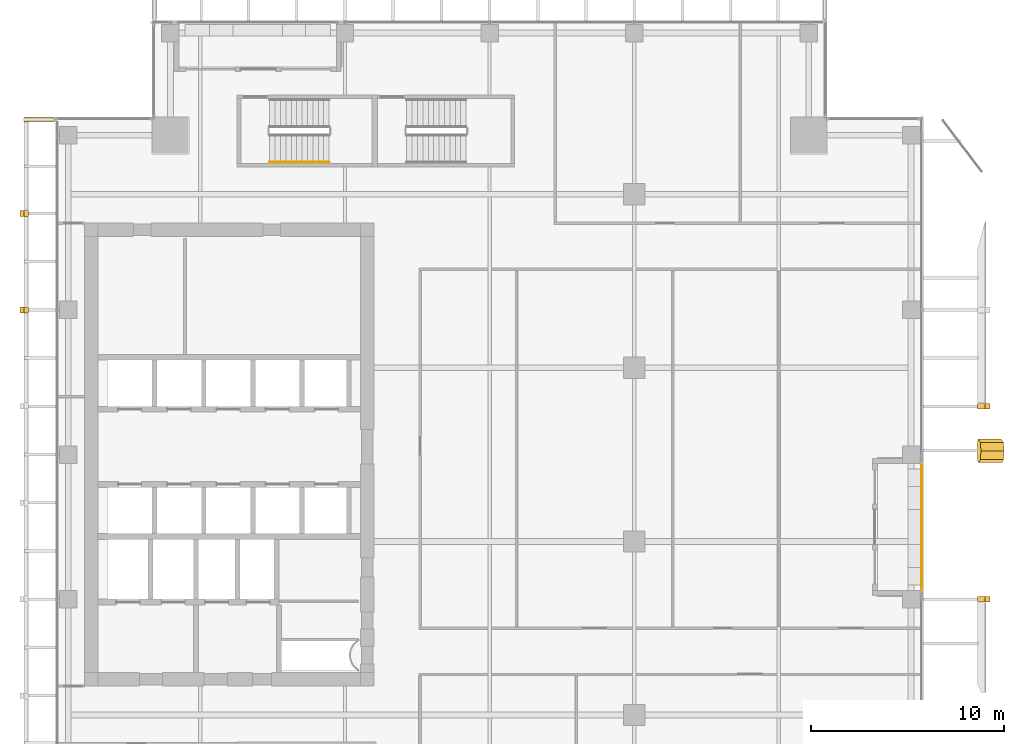
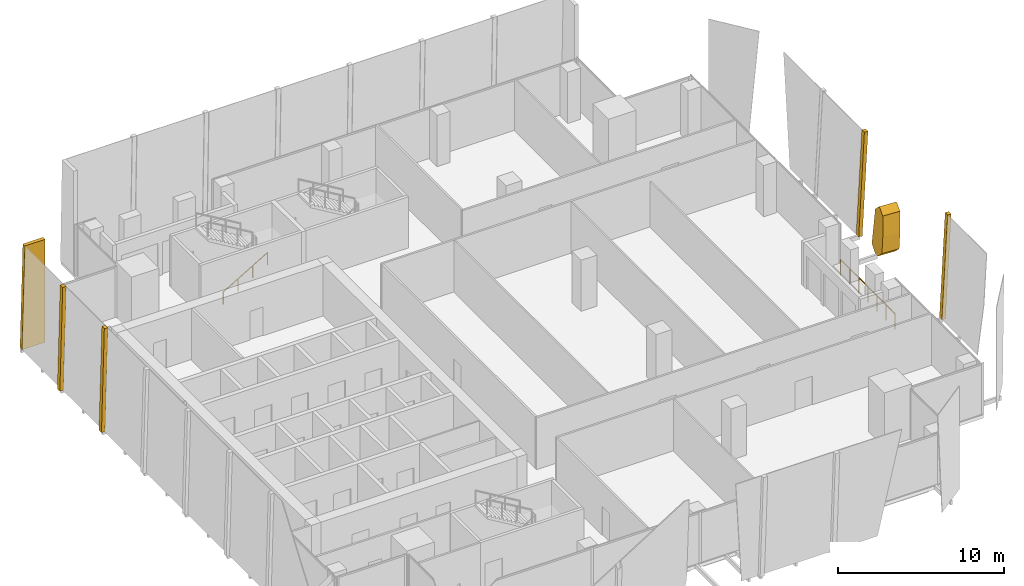
# One storey, part 33 of 35: 6 coverings, 2 railings.
"""IFC4 building model written with IfcOpenShell, lengths in metres."""

from ifc_helpers import new_model, si_unit, direction, frame, origin, origin_2d, place, context, subcontext, project, spatial, polyline, circle, outline, extrude, source, transform, mapped, material, layer, layer_set, type_object, element, save


model = new_model("IFC4")

# Units and contexts
model_context = context("Model", 3, precision=1e-05, world=origin(), true_north=direction((0.0, 1.0)))
body_context = subcontext(model_context, "Body", "Model", "MODEL_VIEW")
ifc_project = project(units=[si_unit("LENGTHUNIT", "METRE"), si_unit("AREAUNIT", "SQUARE_METRE"), si_unit("VOLUMEUNIT", "CUBIC_METRE"), si_unit("PLANEANGLEUNIT", "RADIAN"), si_unit("MASSUNIT", "GRAM", prefix="KILO")], contexts=[model_context])

# Site, building, storey
site_placement = place(None, origin())
site = spatial("IfcSite", under=ifc_project, at=site_placement, CompositionType="ELEMENT")
building_placement = place(site_placement, origin())
building = spatial("IfcBuilding", under=site, at=building_placement, Name="Khomas Fold Tower", CompositionType="ELEMENT")
storey_placement = place(building_placement, frame((0.0, 0.0, 258.199951171875)))
storey = spatial("IfcBuildingStorey", under=building, at=storey_placement, Name="L58", CompositionType="ELEMENT", Elevation=258.199951171875)

# Coverings
ifc_material_1 = material(Name="Natural stone cladding", Category="masonry")
ifc_layer_1 = layer(ifc_material_1, 0.25)
ifc_layer_set_1 = layer_set([ifc_layer_1], Name="Natural stone cladding")
covering_type_1 = type_object("IfcCoveringType", Name="SK-Karibib marble stone mullion", PredefinedType="CLADDING", material=ifc_layer_set_1)
for number, where, z_axis, x_axis, name in (
    (1, (52.28662109375, 19.35009765625, 0.0), (-0.998629046243, 0.0, 0.052345276765), (0.052345276765, 0.0, 0.998629046243), "OUTER SKIN mullion L58 EM100-3"),
    (2, (52.682373046875, 29.64990234375, 7.550048828125), (-0.998629046243, 0.0, 0.052345276765), (-0.052345276765, 0.0, -0.998629046243), "OUTER SKIN mullion L58 EM102-4"),
):
    element("IfcCovering", number, at=place(storey_placement, frame(where, z_axis=z_axis, x_axis=x_axis)), inside=storey, type_object=covering_type_1, Name=name, PredefinedType="CLADDING", context=body_context, shape_type="SweptSolid", body=[
        extrude(outline(polyline([(0.0, 0.0), (7.560413805835891, 0.0), (7.560413805835891, 0.2998046875), (0.0, 0.2998046875), (0.0, 0.0)])), origin(), (0.0, 0.0, -1.0), 0.25),
    ])
for number, where, z_axis, x_axis, name in (
    (3, (2.6533203125, 34.35009765625, 0.006591796875), (-0.99965715546, 0.0, 0.026183421048), (0.0, 1.0, 0.0), "OUTER SKIN mullion L58 W10"),
    (4, (2.6533203125, 39.35009765625, 0.006591796875), (-0.99965715546, 0.0, 0.026183421048), (0.0, 1.0, 0.0), "OUTER SKIN mullion L58 W12"),
):
    element("IfcCovering", number, at=place(storey_placement, frame(where, z_axis=z_axis, x_axis=x_axis)), inside=storey, type_object=covering_type_1, Name=name, PredefinedType="CLADDING", context=body_context, shape_type="SweptSolid", body=[
        extrude(outline(polyline([(0.0, 0.0), (0.2998046875, 0.0), (0.2998046875, -7.552638208898188), (0.0, -7.552638208898188), (0.0, 0.0)])), origin(), (0.0, 0.0, -1.0), 0.25),
    ])
covering_1_placement = place(storey_placement, frame((4.449951171875, 44.5, 0.0), z_axis=(0.0, 1.0, 0.0), x_axis=(-1.0, 0.0, 0.0)))
element("IfcCovering", 5, at=covering_1_placement, inside=storey, type_object=covering_type_1, Name="OUTER SKIN return L58 W2", PredefinedType="CLADDING", context=body_context, shape_type="SweptSolid", body=[
    extrude(outline(polyline([(0.0, 0.0), (1.586669921875, 0.0), (1.388916015625, 7.550048828125), (0.0, 7.550048828125), (0.0, 0.0)])), origin(), (0.0, 0.0, -1.0), 0.25),
])
ifc_material_2 = material(Name="Natural stone cladding", Category="masonry")
ifc_layer_2 = layer(ifc_material_2, 1.199951171875)
ifc_layer_set_2 = layer_set([ifc_layer_2], Name="Natural stone cladding")
covering_type_2 = type_object("IfcCoveringType", Name="SK-Karibib marble stone panel", PredefinedType="CLADDING", material=ifc_layer_set_2)
covering_2_placement = place(storey_placement, frame((52.310302734375, 26.60009765625, 0.449951171875), z_axis=(-0.998629163973, 2.373596e-06, 0.05234303065), x_axis=(0.05234296633, 0.001613626419, 0.998627863664)))
element("IfcCovering", 6, at=covering_2_placement, inside=storey, type_object=covering_type_2, Name="OUTER SKIN leaf L58 ES06-1", PredefinedType="CLADDING", context=body_context, shape_type="SweptSolid", body=[
    extrude(outline(polyline([(0.0, 0.0), (1.2103946021215524, -4.336808689942018e-19), (2.6292989986684105, 0.1312555110410058), (3.0383113143099965, 0.5844535301236086), (2.619261954707889, 1.028245531383687), (0.032746638920638574, 1.2086889667674938), (-0.4493473669558174, 0.7604916936303329), (-0.4498472917422965, 0.4506776438523896), (0.0, 0.0)])), origin(), (0.0, 0.0, -1.0), 1.199951171875),
])

# Railings
ifc_material_3 = material(Name="Powder-coated steel", Category="steel")
railing_type_1 = type_object("IfcRailingType", Name="Balcony guard", PredefinedType="GUARDRAIL", material=ifc_material_3)
shared_shape_1 = source(origin(), body_context, "Body", "SweptSolid", [
    extrude(circle(Radius=0.02490234375, at=origin_2d()), frame((0.0, 0.0, 1.125), z_axis=(0.0, 1.0, 0.0), x_axis=(-1.0, 0.0, 0.0)), (0.0, 0.0, 1.0), 6.5400390625),
    extrude(circle(Radius=0.02001953125, at=origin_2d()), origin(), (0.0, 0.0, 1.0), 1.099853515625),
    extrude(circle(Radius=0.02001953125, at=origin_2d()), frame((0.0, 1.090087890625, 0.0)), (0.0, 0.0, 1.0), 1.099853515625),
    extrude(circle(Radius=0.02001953125, at=origin_2d()), frame((0.0, 2.179931640625, 0.0)), (0.0, 0.0, 1.0), 1.099853515625),
    extrude(circle(Radius=0.02001953125, at=origin_2d()), frame((0.0, 3.27001953125, 0.0)), (0.0, 0.0, 1.0), 1.099853515625),
    extrude(circle(Radius=0.02001953125, at=origin_2d()), frame((0.0, 4.360107421875, 0.0)), (0.0, 0.0, 1.0), 1.099853515625),
    extrude(circle(Radius=0.02001953125, at=origin_2d()), frame((0.0, 5.449951171875, 0.0)), (0.0, 0.0, 1.0), 1.099853515625),
    extrude(circle(Radius=0.02001953125, at=origin_2d()), frame((0.0, 6.5400390625, 0.0)), (0.0, 0.0, 1.0), 1.099853515625),
])
railing_1_placement = place(storey_placement, frame((49.39990234375, 19.97998046875, -0.044921875)))
element("IfcRailing", 7, at=railing_1_placement, inside=storey, type_object=railing_type_1, Name="Balcony guard BAL-L58-E2", PredefinedType="GUARDRAIL", context=body_context, shape_type="MappedRepresentation", body=[
    mapped(shared_shape_1, transform((0.0, 0.0, 0.0))),
])
ifc_material_4 = material(Name="Steel handrail", Category="steel")
railing_type_2 = type_object("IfcRailingType", Name="Stair handrail", PredefinedType="HANDRAIL", material=ifc_material_4)
shared_shape_2 = source(origin(), body_context, "Body", "SweptSolid", [
    extrude(circle(Radius=0.02392578125, at=origin_2d()), frame((0.0, 0.0, 0.8759765625), z_axis=(0.859290745958, 0.0, 0.51148745235), x_axis=(0.0, 1.0, 0.0)), (0.0, 0.0, 1.0), 3.584228515625),
    extrude(circle(Radius=0.02099609375, at=origin_2d()), origin(), (0.0, 0.0, 1.0), 0.851806640625),
    extrude(circle(Radius=0.02099609375, at=origin_2d()), frame((1.026611328125, 0.0, 0.611083984375)), (0.0, 0.0, 1.0), 0.851806640625),
    extrude(circle(Radius=0.02099609375, at=origin_2d()), frame((2.05322265625, 0.0, 1.22216796875)), (0.0, 0.0, 1.0), 0.851806640625),
    extrude(circle(Radius=0.02099609375, at=origin_2d()), frame((3.079833984375, 0.0, 1.833251953125)), (0.0, 0.0, 1.0), 0.851806640625),
])
railing_2_placement = place(storey_placement, frame((15.60009765625, 42.14990234375, 0.166748046875)))
element("IfcRailing", 8, at=railing_2_placement, inside=storey, type_object=railing_type_2, Name="L58 ST1 stair handrail 1", PredefinedType="HANDRAIL", context=body_context, shape_type="MappedRepresentation", body=[
    mapped(shared_shape_2, transform((0.0, 0.0, 0.0))),
])

save(model, "model.ifc")
